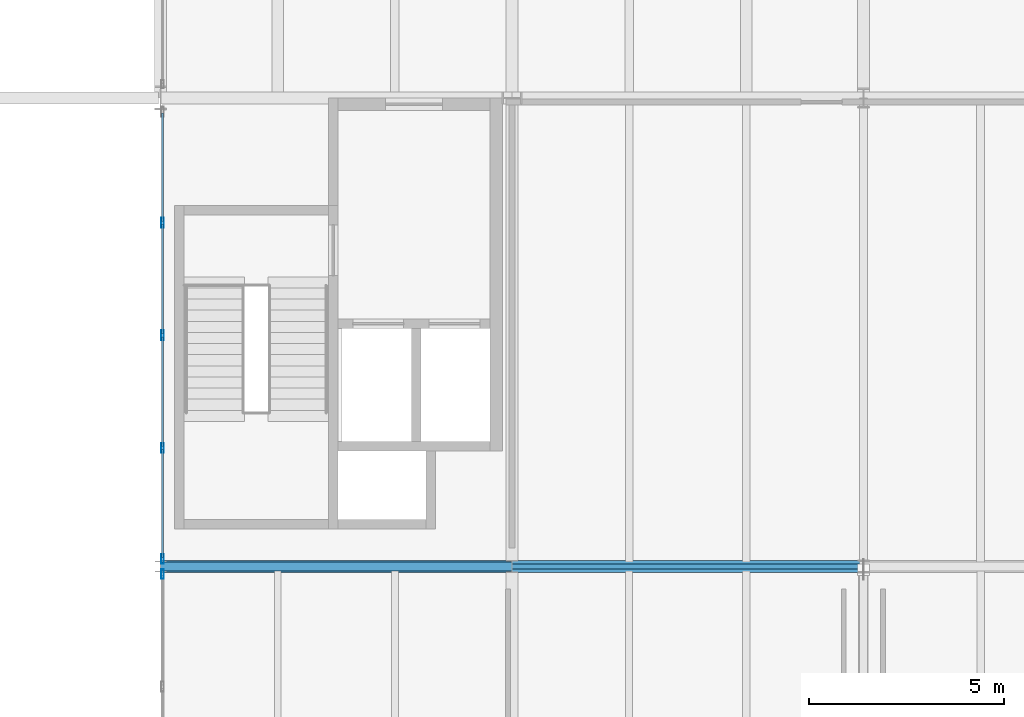
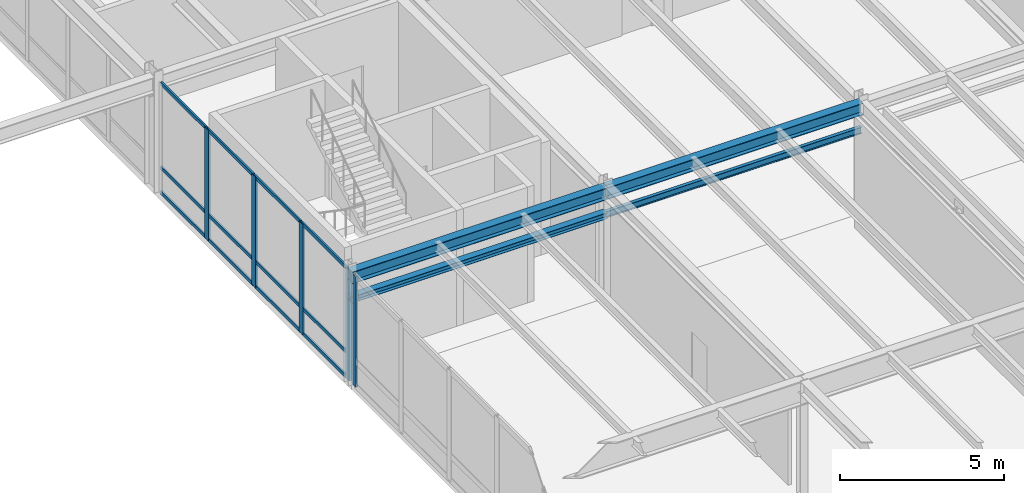
# One storey, part 75 of 115: 17 members, 4 beams, 2 elements without a shape of their own.
"""IFC4 building model written with IfcOpenShell, lengths in metres."""

from ifc_helpers import new_model, si_unit, direction, frame, origin, origin_2d, place, context, subcontext, project, spatial, hollow_rectangle, i_section, extrude, material, layer, layer_set, material_profile, profile_set, type_object, element, aggregate, save


model = new_model("IFC4")

# Units and contexts
model_context = context("Model", 3, precision=1e-05, world=origin(), true_north=direction((0.0, 1.0)))
body_context = subcontext(model_context, "Body", "Model", "MODEL_VIEW")
ifc_project = project(units=[si_unit("LENGTHUNIT", "METRE"), si_unit("AREAUNIT", "SQUARE_METRE"), si_unit("VOLUMEUNIT", "CUBIC_METRE"), si_unit("PLANEANGLEUNIT", "RADIAN"), si_unit("MASSUNIT", "GRAM", prefix="KILO")], contexts=[model_context])

# Site, building, storey
site_placement = place(None, origin())
site = spatial("IfcSite", under=ifc_project, at=site_placement, CompositionType="ELEMENT")
building_placement = place(site_placement, origin())
building = spatial("IfcBuilding", under=site, at=building_placement, Name="Montelvaro Courts of Justice", CompositionType="ELEMENT")
storey_placement = place(building_placement, frame((0.0, 0.0, 9.89990234375)))
storey = spatial("IfcBuildingStorey", under=building, at=storey_placement, Name="L02", CompositionType="ELEMENT", Elevation=9.89990234375)

# Beams
ifc_material_1 = material(Name="Steel S355", Category="steel")
ifc_material_profile_1 = material_profile(ifc_material_1, i_section(OverallWidth=0.239990234375, OverallDepth=0.22998046875, WebThickness=0.007568359375, FlangeThickness=0.011962890625, at=origin_2d()), Name="HEA 240")
ifc_profile_set_1 = profile_set([ifc_material_profile_1], Name="Steel S355")
beam_type_1 = type_object("IfcBeamType", Name="Beam_HEA240", PredefinedType="LINTEL", material=ifc_profile_set_1)
beam_1_placement = place(storey_placement, frame((99.0, 66.0, 3.135009765625), z_axis=(1.0, 0.0, 0.0), x_axis=(0.0, 1.0, 0.0)))
element("IfcBeam", 1, at=beam_1_placement, inside=storey, type_object=beam_type_1, Name="Beam B-13 L02", PredefinedType="LINTEL", context=body_context, shape_type="SweptSolid", body=[
    extrude(i_section(OverallWidth=0.239990234375, OverallDepth=0.22998046875, WebThickness=0.007568359375, FlangeThickness=0.011962890625, at=origin_2d()), origin(), (0.0, 0.0, 1.0), 9.0),
])
ifc_material_profile_2 = material_profile(ifc_material_1, i_section(OverallWidth=0.300048828125, OverallDepth=0.43994140625, WebThickness=0.011474609375, FlangeThickness=0.02099609375, at=origin_2d()), Name="HEA 450")
ifc_profile_set_2 = profile_set([ifc_material_profile_2], Name="Steel S355")
beam_type_2 = type_object("IfcBeamType", Name="Beam_HEA450", PredefinedType="USERDEFINED", material=ifc_profile_set_2)
for number, where, z_axis, x_axis, name in (
    (2, (99.0, 66.0, 3.97998046875), (1.0, 0.0, 0.0), (0.0, 1.0, 0.0), "Beam B-18 L02"),
    (3, (108.0, 66.0, 3.97998046875), (1.0, 0.0, 0.0), (0.0, 1.0, 0.0), "Beam B-18 L02"),
):
    element("IfcBeam", number, at=place(storey_placement, frame(where, z_axis=z_axis, x_axis=x_axis)), inside=storey, type_object=beam_type_2, Name=name, ObjectType="GIRDER", PredefinedType="USERDEFINED", context=body_context, shape_type="SweptSolid", body=[
        extrude(i_section(OverallWidth=0.300048828125, OverallDepth=0.43994140625, WebThickness=0.011474609375, FlangeThickness=0.02099609375, at=origin_2d()), origin(), (0.0, 0.0, 1.0), 9.0),
    ])
ifc_material_profile_3 = material_profile(ifc_material_1, i_section(OverallWidth=0.1201171875, OverallDepth=0.239990234375, WebThickness=0.006103515625, FlangeThickness=0.009765625, at=origin_2d()), Name="IPE 240")
ifc_profile_set_3 = profile_set([ifc_material_profile_3], Name="Steel S355")
beam_type_3 = type_object("IfcBeamType", Name="Beam_IPE240", PredefinedType="LINTEL", material=ifc_profile_set_3)
beam_2_placement = place(storey_placement, frame((108.0, 66.0, 3.130126953125), z_axis=(1.0, 0.0, 0.0), x_axis=(0.0, 1.0, 0.0)))
element("IfcBeam", 4, at=beam_2_placement, inside=storey, type_object=beam_type_3, Name="Beam B-03 L02", PredefinedType="LINTEL", context=body_context, shape_type="SweptSolid", body=[
    extrude(i_section(OverallWidth=0.1201171875, OverallDepth=0.239990234375, WebThickness=0.006103515625, FlangeThickness=0.009765625, at=origin_2d()), origin(), (0.0, 0.0, 1.0), 9.0),
])

# Curtain wall, members
ifc_material_2 = material(Name="Anodised aluminium EN AW-6063", Category="aluminium")
ifc_layer_1 = layer(ifc_material_2, 0.159912109375)
ifc_layer_set_1 = layer_set([ifc_layer_1], Name="Anodised aluminium EN AW-6063")
curtain_wall_type_1 = type_object("IfcCurtainWallType", Name="CurtainWall_23_1154x418", PredefinedType="USERDEFINED", material=ifc_layer_set_1)
curtain_wall_1_placement = place(storey_placement, origin())
curtain_wall_1 = element("IfcCurtainWall", 5, at=curtain_wall_1_placement, inside=storey, type_object=curtain_wall_type_1, Name="Curtain Wall CW-23 (L02)", ObjectType="CURTAIN WALL", PredefinedType="USERDEFINED")
ifc_material_profile_4 = material_profile(ifc_material_2, hollow_rectangle(XDim=0.074951171875, YDim=0.25, WallThickness=0.005615234375, at=origin_2d()), Name="ALU-M 75x250")
ifc_profile_set_4 = profile_set([ifc_material_profile_4], Name="Anodised aluminium EN AW-6063")
member_type_1 = type_object("IfcMemberType", Name="CurtainWall_Mullion_75x250", PredefinedType="MULLION", material=ifc_profile_set_4)
member_1_placement = place(storey_placement, frame((99.050048828125, 74.802490234375, 0.0), z_axis=(0.0, 0.0, 1.0), x_axis=(1.0, 0.0, 0.0)))
member_1 = element("IfcMember", 6, at=member_1_placement, type_object=member_type_1, Name="CW-23 mullion 2", PredefinedType="MULLION", context=body_context, shape_type="SweptSolid", body=[
    extrude(hollow_rectangle(XDim=0.074951171875, YDim=0.25, WallThickness=0.005615234375, at=origin_2d()), origin(), (0.0, 0.0, 1.0), 4.1201171875),
])
member_2_placement = place(storey_placement, frame((99.050048828125, 71.919921875, 0.0), z_axis=(0.0, 0.0, 1.0), x_axis=(1.0, 0.0, 0.0)))
member_2 = element("IfcMember", 7, at=member_2_placement, type_object=member_type_1, Name="CW-23 mullion 3", PredefinedType="MULLION", context=body_context, shape_type="SweptSolid", body=[
    extrude(hollow_rectangle(XDim=0.074951171875, YDim=0.25, WallThickness=0.005615234375, at=origin_2d()), origin(), (0.0, 0.0, 1.0), 4.1201171875),
])
member_3_placement = place(storey_placement, frame((99.050048828125, 69.03759765625, 0.0), z_axis=(0.0, 0.0, 1.0), x_axis=(1.0, 0.0, 0.0)))
member_3 = element("IfcMember", 8, at=member_3_placement, type_object=member_type_1, Name="CW-23 mullion 4", PredefinedType="MULLION", context=body_context, shape_type="SweptSolid", body=[
    extrude(hollow_rectangle(XDim=0.074951171875, YDim=0.25, WallThickness=0.005615234375, at=origin_2d()), origin(), (0.0, 0.0, 1.0), 4.1201171875),
])
member_4_placement = place(storey_placement, frame((99.050048828125, 66.1923828125, 0.0), z_axis=(0.0, 0.0, 1.0), x_axis=(1.0, 0.0, 0.0)))
member_4 = element("IfcMember", 9, at=member_4_placement, type_object=member_type_1, Name="CW-23 mullion 5", PredefinedType="MULLION", context=body_context, shape_type="SweptSolid", body=[
    extrude(hollow_rectangle(XDim=0.074951171875, YDim=0.25, WallThickness=0.005615234375, at=origin_2d()), origin(), (0.0, 0.0, 1.0), 4.1201171875),
])

# Curtain wall, member
ifc_layer_2 = layer(ifc_material_2, 0.159912109375)
ifc_layer_set_2 = layer_set([ifc_layer_2], Name="Anodised aluminium EN AW-6063")
curtain_wall_type_2 = type_object("IfcCurtainWallType", Name="CurtainWall_24_1169x418", PredefinedType="USERDEFINED", material=ifc_layer_set_2)
curtain_wall_2_placement = place(storey_placement, origin())
curtain_wall_2 = element("IfcCurtainWall", 10, at=curtain_wall_2_placement, inside=storey, type_object=curtain_wall_type_2, Name="Curtain Wall CW-24 (L02)", ObjectType="CURTAIN WALL", PredefinedType="USERDEFINED")
member_5_placement = place(storey_placement, frame((99.050048828125, 65.8076171875, 0.0), z_axis=(0.0, 0.0, 1.0), x_axis=(1.0, 0.0, 0.0)))
member_5 = element("IfcMember", 11, at=member_5_placement, type_object=member_type_1, Name="CW-24 mullion 1", PredefinedType="MULLION", context=body_context, shape_type="SweptSolid", body=[
    extrude(hollow_rectangle(XDim=0.074951171875, YDim=0.25, WallThickness=0.005615234375, at=origin_2d()), origin(), (0.0, 0.0, 1.0), 4.1201171875),
])
aggregate(curtain_wall_2, [member_5])

# Member
ifc_material_profile_5 = material_profile(ifc_material_2, hollow_rectangle(XDim=0.06005859375, YDim=0.1298828125, WallThickness=0.00390625, at=origin_2d()), Name="ALU-T 60x130")
ifc_profile_set_5 = profile_set([ifc_material_profile_5], Name="Anodised aluminium EN AW-6063")
member_type_2 = type_object("IfcMemberType", Name="CurtainWall_Transom_60x130", PredefinedType="USERDEFINED", material=ifc_profile_set_5)
member_6_placement = place(storey_placement, frame((99.050048828125, 77.610107421875, 0.030029296875), z_axis=(0.0, -1.0, 0.0), x_axis=(1.0, 0.0, 0.0)))
member_6 = element("IfcMember", 12, at=member_6_placement, type_object=member_type_2, Name="CW-23 transom 1.1", ObjectType="TRANSOM", PredefinedType="USERDEFINED", context=body_context, shape_type="SweptSolid", body=[
    extrude(hollow_rectangle(XDim=0.06005859375, YDim=0.1298828125, WallThickness=0.00390625, at=origin_2d()), origin(), (0.0, 0.0, 1.0), 2.77001953125),
])

member_7_placement = place(storey_placement, frame((99.050048828125, 77.610107421875, 0.9501953125), z_axis=(0.0, -1.0, 0.0), x_axis=(1.0, 0.0, 0.0)))
member_7 = element("IfcMember", 13, at=member_7_placement, type_object=member_type_2, Name="CW-23 transom 1.2", ObjectType="TRANSOM", PredefinedType="USERDEFINED", context=body_context, shape_type="SweptSolid", body=[
    extrude(hollow_rectangle(XDim=0.06005859375, YDim=0.1298828125, WallThickness=0.00390625, at=origin_2d()), origin(), (0.0, 0.0, 1.0), 2.77001953125),
])

member_8_placement = place(storey_placement, frame((99.050048828125, 77.610107421875, 4.090087890625), z_axis=(0.0, -1.0, 0.0), x_axis=(1.0, 0.0, 0.0)))
member_8 = element("IfcMember", 14, at=member_8_placement, type_object=member_type_2, Name="CW-23 transom 1.3", ObjectType="TRANSOM", PredefinedType="USERDEFINED", context=body_context, shape_type="SweptSolid", body=[
    extrude(hollow_rectangle(XDim=0.06005859375, YDim=0.1298828125, WallThickness=0.00390625, at=origin_2d()), origin(), (0.0, 0.0, 1.0), 2.77001953125),
])

member_9_placement = place(storey_placement, frame((99.050048828125, 74.764892578125, 0.030029296875), z_axis=(0.0, -1.0, 0.0), x_axis=(1.0, 0.0, 0.0)))
member_9 = element("IfcMember", 15, at=member_9_placement, type_object=member_type_2, Name="CW-23 transom 2.1", ObjectType="TRANSOM", PredefinedType="USERDEFINED", context=body_context, shape_type="SweptSolid", body=[
    extrude(hollow_rectangle(XDim=0.06005859375, YDim=0.1298828125, WallThickness=0.00390625, at=origin_2d()), origin(), (0.0, 0.0, 1.0), 2.807373046875),
])

member_10_placement = place(storey_placement, frame((99.050048828125, 74.764892578125, 0.9501953125), z_axis=(0.0, -1.0, 0.0), x_axis=(1.0, 0.0, 0.0)))
member_10 = element("IfcMember", 16, at=member_10_placement, type_object=member_type_2, Name="CW-23 transom 2.2", ObjectType="TRANSOM", PredefinedType="USERDEFINED", context=body_context, shape_type="SweptSolid", body=[
    extrude(hollow_rectangle(XDim=0.06005859375, YDim=0.1298828125, WallThickness=0.00390625, at=origin_2d()), origin(), (0.0, 0.0, 1.0), 2.807373046875),
])

member_11_placement = place(storey_placement, frame((99.050048828125, 74.764892578125, 4.090087890625), z_axis=(0.0, -1.0, 0.0), x_axis=(1.0, 0.0, 0.0)))
member_11 = element("IfcMember", 17, at=member_11_placement, type_object=member_type_2, Name="CW-23 transom 2.3", ObjectType="TRANSOM", PredefinedType="USERDEFINED", context=body_context, shape_type="SweptSolid", body=[
    extrude(hollow_rectangle(XDim=0.06005859375, YDim=0.1298828125, WallThickness=0.00390625, at=origin_2d()), origin(), (0.0, 0.0, 1.0), 2.807373046875),
])

member_12_placement = place(storey_placement, frame((99.050048828125, 71.882568359375, 0.030029296875), z_axis=(0.0, -1.0, 0.0), x_axis=(1.0, 0.0, 0.0)))
member_12 = element("IfcMember", 18, at=member_12_placement, type_object=member_type_2, Name="CW-23 transom 3.1", ObjectType="TRANSOM", PredefinedType="USERDEFINED", context=body_context, shape_type="SweptSolid", body=[
    extrude(hollow_rectangle(XDim=0.06005859375, YDim=0.1298828125, WallThickness=0.00390625, at=origin_2d()), origin(), (0.0, 0.0, 1.0), 2.8076171875),
])

member_13_placement = place(storey_placement, frame((99.050048828125, 71.882568359375, 0.9501953125), z_axis=(0.0, -1.0, 0.0), x_axis=(1.0, 0.0, 0.0)))
member_13 = element("IfcMember", 19, at=member_13_placement, type_object=member_type_2, Name="CW-23 transom 3.2", ObjectType="TRANSOM", PredefinedType="USERDEFINED", context=body_context, shape_type="SweptSolid", body=[
    extrude(hollow_rectangle(XDim=0.06005859375, YDim=0.1298828125, WallThickness=0.00390625, at=origin_2d()), origin(), (0.0, 0.0, 1.0), 2.8076171875),
])

member_14_placement = place(storey_placement, frame((99.050048828125, 71.882568359375, 4.090087890625), z_axis=(0.0, -1.0, 0.0), x_axis=(1.0, 0.0, 0.0)))
member_14 = element("IfcMember", 20, at=member_14_placement, type_object=member_type_2, Name="CW-23 transom 3.3", ObjectType="TRANSOM", PredefinedType="USERDEFINED", context=body_context, shape_type="SweptSolid", body=[
    extrude(hollow_rectangle(XDim=0.06005859375, YDim=0.1298828125, WallThickness=0.00390625, at=origin_2d()), origin(), (0.0, 0.0, 1.0), 2.8076171875),
])

member_15_placement = place(storey_placement, frame((99.050048828125, 69.0, 0.030029296875), z_axis=(0.0, -1.0, 0.0), x_axis=(1.0, 0.0, 0.0)))
member_15 = element("IfcMember", 21, at=member_15_placement, type_object=member_type_2, Name="CW-23 transom 4.1", ObjectType="TRANSOM", PredefinedType="USERDEFINED", context=body_context, shape_type="SweptSolid", body=[
    extrude(hollow_rectangle(XDim=0.06005859375, YDim=0.1298828125, WallThickness=0.00390625, at=origin_2d()), origin(), (0.0, 0.0, 1.0), 2.77001953125),
])

member_16_placement = place(storey_placement, frame((99.050048828125, 69.0, 0.9501953125), z_axis=(0.0, -1.0, 0.0), x_axis=(1.0, 0.0, 0.0)))
member_16 = element("IfcMember", 22, at=member_16_placement, type_object=member_type_2, Name="CW-23 transom 4.2", ObjectType="TRANSOM", PredefinedType="USERDEFINED", context=body_context, shape_type="SweptSolid", body=[
    extrude(hollow_rectangle(XDim=0.06005859375, YDim=0.1298828125, WallThickness=0.00390625, at=origin_2d()), origin(), (0.0, 0.0, 1.0), 2.77001953125),
])

member_17_placement = place(storey_placement, frame((99.050048828125, 69.0, 4.090087890625), z_axis=(0.0, -1.0, 0.0), x_axis=(1.0, 0.0, 0.0)))
member_17 = element("IfcMember", 23, at=member_17_placement, type_object=member_type_2, Name="CW-23 transom 4.3", ObjectType="TRANSOM", PredefinedType="USERDEFINED", context=body_context, shape_type="SweptSolid", body=[
    extrude(hollow_rectangle(XDim=0.06005859375, YDim=0.1298828125, WallThickness=0.00390625, at=origin_2d()), origin(), (0.0, 0.0, 1.0), 2.77001953125),
])

aggregate(curtain_wall_1, [member_1, member_2, member_3, member_4, member_6, member_7, member_8, member_9, member_10, member_11, member_12, member_13, member_14, member_15, member_16, member_17])

save(model, "model.ifc")
